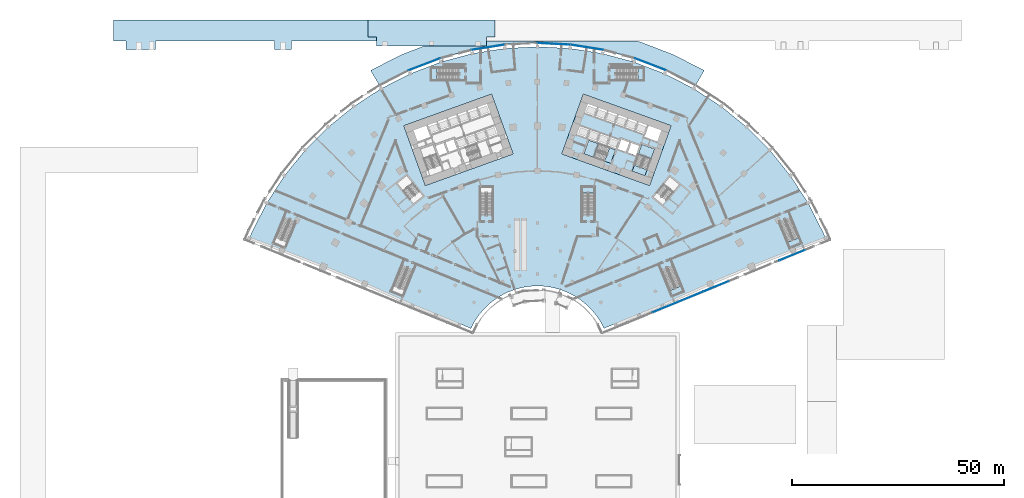
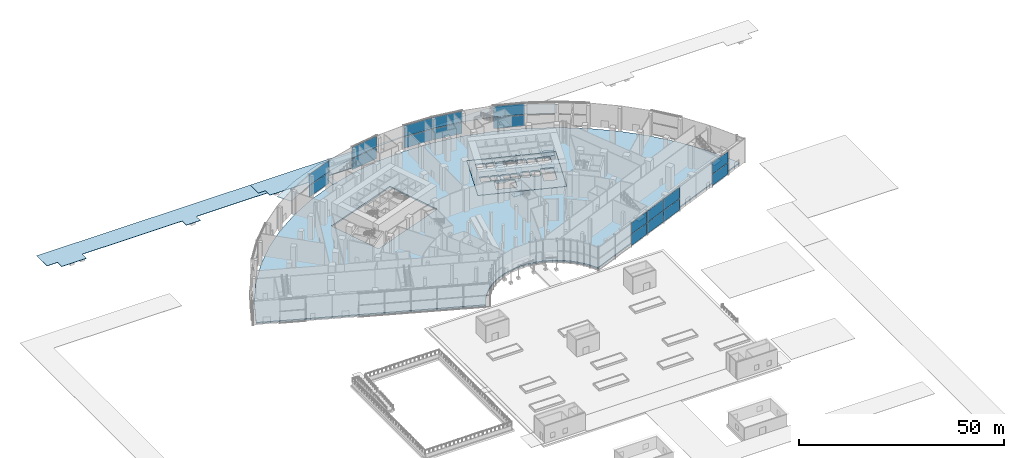
# One storey, part 21 of 60: 19 plates, 15 slabs, 9 elements without a shape of their own.
"""IFC4 building model written with IfcOpenShell, lengths in metres."""

from ifc_helpers import new_model, si_unit, direction, frame, origin, origin_2d, place, context, subcontext, project, spatial, polyline, rectangle, outline, extrude, material, layer, layer_set, type_object, element, aggregate, save


model = new_model("IFC4")

# Units and contexts
model_context = context("Model", 3, precision=1e-05, world=origin(), true_north=direction((0.0, 1.0)))
body_context = subcontext(model_context, "Body", "Model", "MODEL_VIEW")
ifc_project = project(units=[si_unit("LENGTHUNIT", "METRE"), si_unit("AREAUNIT", "SQUARE_METRE"), si_unit("VOLUMEUNIT", "CUBIC_METRE"), si_unit("PLANEANGLEUNIT", "RADIAN"), si_unit("MASSUNIT", "GRAM", prefix="KILO")], contexts=[model_context])

# Site, building, storey
site_placement = place(None, origin())
site = spatial("IfcSite", under=ifc_project, at=site_placement, CompositionType="ELEMENT")
building_placement = place(site_placement, origin())
building = spatial("IfcBuilding", under=site, at=building_placement, Name="Stone Belt Terrace Tower", CompositionType="ELEMENT")
storey_placement = place(building_placement, origin())
storey = spatial("IfcBuildingStorey", under=building, at=storey_placement, Name="L00", CompositionType="ELEMENT", Elevation=0.0)

# Curtain wall, plates
ifc_material_1 = material(Name="Aluminium 6063-T6 anodised frame", Category="aluminium")
ifc_layer_1 = layer(ifc_material_1, 0.14990234375)
ifc_layer_set_1 = layer_set([ifc_layer_1], Name="CW-D podium shopfront")
curtain_wall_type = type_object("IfcCurtainWallType", Name="CW-D podium shopfront", PredefinedType="NOTDEFINED", material=ifc_layer_set_1)
curtain_wall_1_placement = place(storey_placement, origin())
curtain_wall_1 = element("IfcCurtainWall", 1, at=curtain_wall_1_placement, inside=storey, type_object=curtain_wall_type, Name="CW-D end face L00", PredefinedType="NOTDEFINED")
ifc_material_2 = material(Name="Clear double glazed unit")
ifc_layer_2 = layer(ifc_material_2, 0.031982421875)
ifc_layer_set_2 = layer_set([ifc_layer_2], Name="CW-D glass panel 32")
plate_type_1 = type_object("IfcPlateType", Name="CW-D glass panel 32", PredefinedType="CURTAIN_PANEL", material=ifc_layer_set_2)
plate_1_placement = place(storey_placement, frame((30.203369140625, 12.298095703125, 0.139892578125), z_axis=(0.0, 0.0, 1.0), x_axis=(0.925297074342, 0.379243093825, 0.0)))
plate_1 = element("IfcPlate", 2, at=plate_1_placement, type_object=plate_type_1, Name="CW-D panel 3.1", PredefinedType="CURTAIN_PANEL", context=body_context, shape_type="SweptSolid", body=[
    extrude(rectangle(XDim=6.384521484375, YDim=0.031982421875, at=origin_2d()), origin(), (0.0, 0.0, 1.0), 3.2900390625),
])
plate_2_placement = place(storey_placement, frame((30.203369140625, 12.298095703125, 3.570068359375), z_axis=(0.0, 0.0, 1.0), x_axis=(0.925297074342, 0.379243093825, 0.0)))
plate_2 = element("IfcPlate", 3, at=plate_2_placement, type_object=plate_type_1, Name="CW-D panel 3.2", PredefinedType="CURTAIN_PANEL", context=body_context, shape_type="SweptSolid", body=[
    extrude(rectangle(XDim=6.384521484375, YDim=0.031982421875, at=origin_2d()), origin(), (0.0, 0.0, 1.0), 3.2900390625),
])
plate_3_placement = place(storey_placement, frame((36.16650390625, 14.7421875, 0.139892578125), z_axis=(0.0, 0.0, 1.0), x_axis=(0.925297074342, 0.379243093825, 0.0)))
plate_3 = element("IfcPlate", 4, at=plate_3_placement, type_object=plate_type_1, Name="CW-D panel 4.1", PredefinedType="CURTAIN_PANEL", context=body_context, shape_type="SweptSolid", body=[
    extrude(rectangle(XDim=6.384521484375, YDim=0.031982421875, at=origin_2d()), origin(), (0.0, 0.0, 1.0), 3.2900390625),
])
plate_4_placement = place(storey_placement, frame((36.16650390625, 14.7421875, 3.570068359375), z_axis=(0.0, 0.0, 1.0), x_axis=(0.925297074342, 0.379243093825, 0.0)))
plate_4 = element("IfcPlate", 5, at=plate_4_placement, type_object=plate_type_1, Name="CW-D panel 4.2", PredefinedType="CURTAIN_PANEL", context=body_context, shape_type="SweptSolid", body=[
    extrude(rectangle(XDim=6.384521484375, YDim=0.031982421875, at=origin_2d()), origin(), (0.0, 0.0, 1.0), 3.2900390625),
])
plate_5_placement = place(storey_placement, frame((42.12939453125, 17.186279296875, 0.139892578125), z_axis=(0.0, 0.0, 1.0), x_axis=(0.925297074342, 0.379243093825, 0.0)))
plate_5 = element("IfcPlate", 6, at=plate_5_placement, type_object=plate_type_1, Name="CW-D panel 5.1", PredefinedType="CURTAIN_PANEL", context=body_context, shape_type="SweptSolid", body=[
    extrude(rectangle(XDim=6.384521484375, YDim=0.031982421875, at=origin_2d()), origin(), (0.0, 0.0, 1.0), 3.2900390625),
])
plate_6_placement = place(storey_placement, frame((42.12939453125, 17.186279296875, 3.570068359375), z_axis=(0.0, 0.0, 1.0), x_axis=(0.925297074342, 0.379243093825, 0.0)))
plate_6 = element("IfcPlate", 7, at=plate_6_placement, type_object=plate_type_1, Name="CW-D panel 5.2", PredefinedType="CURTAIN_PANEL", context=body_context, shape_type="SweptSolid", body=[
    extrude(rectangle(XDim=6.384521484375, YDim=0.031982421875, at=origin_2d()), origin(), (0.0, 0.0, 1.0), 3.2900390625),
])
plate_7_placement = place(storey_placement, frame((60.0185546875, 24.518310546875, 0.139892578125), z_axis=(0.0, 0.0, 1.0), x_axis=(0.925297074342, 0.379243093825, 0.0)))
plate_7 = element("IfcPlate", 8, at=plate_7_placement, type_object=plate_type_1, Name="CW-D panel 8.1", PredefinedType="CURTAIN_PANEL", context=body_context, shape_type="SweptSolid", body=[
    extrude(rectangle(XDim=6.384521484375, YDim=0.031982421875, at=origin_2d()), origin(), (0.0, 0.0, 1.0), 3.2900390625),
])
plate_8_placement = place(storey_placement, frame((60.0185546875, 24.518310546875, 3.570068359375), z_axis=(0.0, 0.0, 1.0), x_axis=(0.925297074342, 0.379243093825, 0.0)))
plate_8 = element("IfcPlate", 9, at=plate_8_placement, type_object=plate_type_1, Name="CW-D panel 8.2", PredefinedType="CURTAIN_PANEL", context=body_context, shape_type="SweptSolid", body=[
    extrude(rectangle(XDim=6.384521484375, YDim=0.031982421875, at=origin_2d()), origin(), (0.0, 0.0, 1.0), 3.2900390625),
])
aggregate(curtain_wall_1, [plate_1, plate_2, plate_3, plate_4, plate_5, plate_6, plate_7, plate_8])

curtain_wall_2_placement = place(storey_placement, origin())
curtain_wall_2 = element("IfcCurtainWall", 10, at=curtain_wall_2_placement, inside=storey, type_object=curtain_wall_type, Name="CW-D convex face L00", PredefinedType="NOTDEFINED")
plate_9_placement = place(storey_placement, frame((26.688720703125, 69.5263671875, 0.139892578125), z_axis=(0.0, 0.0, 1.0), x_axis=(-0.933580426497, 0.358367949545, 0.0)))
plate_9 = element("IfcPlate", 11, at=plate_9_placement, type_object=plate_type_1, Name="CW-D panel 9.1", PredefinedType="CURTAIN_PANEL", context=body_context, shape_type="SweptSolid", body=[
    extrude(rectangle(XDim=7.738037109375, YDim=0.031982421875, at=origin_2d()), origin(), (0.0, 0.0, 1.0), 3.2900390625),
])
plate_10_placement = place(storey_placement, frame((26.688720703125, 69.5263671875, 3.570068359375), z_axis=(0.0, 0.0, 1.0), x_axis=(-0.933580426497, 0.358367949545, 0.0)))
plate_10 = element("IfcPlate", 12, at=plate_10_placement, type_object=plate_type_1, Name="CW-D panel 9.2", PredefinedType="CURTAIN_PANEL", context=body_context, shape_type="SweptSolid", body=[
    extrude(rectangle(XDim=7.738037109375, YDim=0.031982421875, at=origin_2d()), origin(), (0.0, 0.0, 1.0), 3.2900390625),
])
plate_11_placement = place(storey_placement, frame((11.650146484375, 73.555908203125, 0.139892578125), z_axis=(0.0, 0.0, 1.0), x_axis=(-0.987688340595, 0.15643446504, 0.0)))
plate_11 = element("IfcPlate", 13, at=plate_11_placement, type_object=plate_type_1, Name="CW-D panel 11.1", PredefinedType="CURTAIN_PANEL", context=body_context, shape_type="SweptSolid", body=[
    extrude(rectangle(XDim=7.738037109375, YDim=0.031982421875, at=origin_2d()), origin(), (0.0, 0.0, 1.0), 3.2900390625),
])
plate_12_placement = place(storey_placement, frame((11.650146484375, 73.555908203125, 3.570068359375), z_axis=(0.0, 0.0, 1.0), x_axis=(-0.987688340595, 0.15643446504, 0.0)))
plate_12 = element("IfcPlate", 14, at=plate_12_placement, type_object=plate_type_1, Name="CW-D panel 11.2", PredefinedType="CURTAIN_PANEL", context=body_context, shape_type="SweptSolid", body=[
    extrude(rectangle(XDim=7.738037109375, YDim=0.031982421875, at=origin_2d()), origin(), (0.0, 0.0, 1.0), 3.2900390625),
])
plate_13_placement = place(storey_placement, frame((3.897705078125, 74.370849609375, 0.139892578125), z_axis=(0.0, 0.0, 1.0), x_axis=(-0.998629534755, 0.052335956243, 0.0)))
plate_13 = element("IfcPlate", 15, at=plate_13_placement, type_object=plate_type_1, Name="CW-D panel 12.1", PredefinedType="CURTAIN_PANEL", context=body_context, shape_type="SweptSolid", body=[
    extrude(rectangle(XDim=7.738037109375, YDim=0.031982421875, at=origin_2d()), origin(), (0.0, 0.0, 1.0), 3.2900390625),
])
plate_14_placement = place(storey_placement, frame((3.897705078125, 74.370849609375, 3.570068359375), z_axis=(0.0, 0.0, 1.0), x_axis=(-0.998629534755, 0.052335956243, 0.0)))
plate_14 = element("IfcPlate", 16, at=plate_14_placement, type_object=plate_type_1, Name="CW-D panel 12.2", PredefinedType="CURTAIN_PANEL", context=body_context, shape_type="SweptSolid", body=[
    extrude(rectangle(XDim=7.738037109375, YDim=0.031982421875, at=origin_2d()), origin(), (0.0, 0.0, 1.0), 3.2900390625),
])
plate_15_placement = place(storey_placement, frame((-11.650146484375, 73.555908203125, 0.139892578125), z_axis=(0.0, 0.0, 1.0), x_axis=(-0.987688340595, -0.15643446504, 0.0)))
plate_15 = element("IfcPlate", 17, at=plate_15_placement, type_object=plate_type_1, Name="CW-D panel 14.1", PredefinedType="CURTAIN_PANEL", context=body_context, shape_type="SweptSolid", body=[
    extrude(rectangle(XDim=7.738037109375, YDim=0.031982421875, at=origin_2d()), origin(), (0.0, 0.0, 1.0), 3.2900390625),
])
plate_16_placement = place(storey_placement, frame((-11.650146484375, 73.555908203125, 3.570068359375), z_axis=(0.0, 0.0, 1.0), x_axis=(-0.987688340595, -0.15643446504, 0.0)))
plate_16 = element("IfcPlate", 18, at=plate_16_placement, type_object=plate_type_1, Name="CW-D panel 14.2", PredefinedType="CURTAIN_PANEL", context=body_context, shape_type="SweptSolid", body=[
    extrude(rectangle(XDim=7.738037109375, YDim=0.031982421875, at=origin_2d()), origin(), (0.0, 0.0, 1.0), 3.2900390625),
])
plate_17_placement = place(storey_placement, frame((-26.688720703125, 69.5263671875, 0.139892578125), z_axis=(0.0, 0.0, 1.0), x_axis=(-0.933580426497, -0.358367949545, 0.0)))
plate_17 = element("IfcPlate", 19, at=plate_17_placement, type_object=plate_type_1, Name="CW-D panel 16.1", PredefinedType="CURTAIN_PANEL", context=body_context, shape_type="SweptSolid", body=[
    extrude(rectangle(XDim=7.738037109375, YDim=0.031982421875, at=origin_2d()), origin(), (0.0, 0.0, 1.0), 3.2900390625),
])
plate_18_placement = place(storey_placement, frame((-26.688720703125, 69.5263671875, 3.570068359375), z_axis=(0.0, 0.0, 1.0), x_axis=(-0.933580426497, -0.358367949545, 0.0)))
plate_18 = element("IfcPlate", 20, at=plate_18_placement, type_object=plate_type_1, Name="CW-D panel 16.2", PredefinedType="CURTAIN_PANEL", context=body_context, shape_type="SweptSolid", body=[
    extrude(rectangle(XDim=7.738037109375, YDim=0.031982421875, at=origin_2d()), origin(), (0.0, 0.0, 1.0), 3.2900390625),
])
aggregate(curtain_wall_2, [plate_9, plate_10, plate_11, plate_12, plate_13, plate_14, plate_15, plate_16, plate_17, plate_18])

# Slab
ifc_material_3 = material(Name="Concrete B40", Category="concrete")
ifc_layer_3 = layer(ifc_material_3, 0.39990234375)
ifc_layer_set_3 = layer_set([ifc_layer_3], Name="Core floor slab 400")
slab_type_1 = type_object("IfcSlabType", Name="Core floor slab 400", PredefinedType="FLOOR", material=ifc_layer_set_3)
slab_1_placement = place(storey_placement, frame((0.0, 0.0, -0.39990234375)))
element("IfcSlab", 21, at=slab_1_placement, inside=storey, type_object=slab_type_1, Name="Core B floor L00", PredefinedType="FLOOR", context=body_context, shape_type="SweptSolid", body=[
    extrude(outline(polyline([(26.43505859375, 40.968994140625), (31.513916015625, 55.0830078125), (10.81396484375, 62.531982421875), (5.735107421875, 48.4189453125), (26.43505859375, 40.968994140625)]), holes=[polyline([(12.10595703125, 51.652099609375), (16.998046875, 49.89208984375), (15.846923828125, 46.69189453125), (10.955078125, 48.452880859375), (12.10595703125, 51.652099609375)]), polyline([(19.239990234375, 51.68896484375), (18.5458984375, 49.760009765625), (16.52294921875, 50.488037109375), (17.217041015625, 52.4169921875), (19.239990234375, 51.68896484375)]), polyline([(16.239990234375, 50.589111328125), (14.169921875, 51.333984375), (14.864013671875, 53.262939453125), (16.93408203125, 52.51806640625), (16.239990234375, 50.589111328125)]), polyline([(14.58203125, 53.364990234375), (13.887939453125, 51.43603515625), (11.864990234375, 52.1640625), (11.847900390625, 52.116943359375), (11.801025390625, 52.134033203125), (12.511962890625, 54.110107421875), (14.58203125, 53.364990234375)]), polyline([(9.30810546875, 53.031005859375), (10.01904296875, 55.007080078125), (12.22998046875, 54.2109375), (11.51904296875, 52.235107421875), (9.30810546875, 53.031005859375)]), polyline([(16.743896484375, 58.485107421875), (18.81396484375, 57.739990234375), (18.052001953125, 55.623046875), (15.98193359375, 56.367919921875), (16.743896484375, 58.485107421875)]), polyline([(14.39111328125, 59.33203125), (16.4609375, 58.5869140625), (15.699951171875, 56.469970703125), (13.6298828125, 57.215087890625), (14.39111328125, 59.33203125)]), polyline([(11.89794921875, 60.22900390625), (14.10888671875, 59.43408203125), (13.346923828125, 57.31591796875), (11.135986328125, 58.112060546875), (11.89794921875, 60.22900390625)]), polyline([(25.85888671875, 44.68408203125), (22.847900390625, 45.76806640625), (24.60791015625, 50.659912109375), (27.618896484375, 49.575927734375), (25.85888671875, 44.68408203125)]), polyline([(21.27392578125, 48.778076171875), (22.0869140625, 51.035888671875), (24.06298828125, 50.324951171875), (23.25, 48.06689453125), (21.27392578125, 48.778076171875)]), polyline([(18.922119140625, 49.6240234375), (19.735107421875, 51.883056640625), (21.7109375, 51.1708984375), (20.89794921875, 48.9130859375), (18.922119140625, 49.6240234375)]), polyline([(29.2109375, 53.9990234375), (28.24609375, 51.31689453125), (25.18798828125, 52.41796875), (26.153076171875, 55.09912109375), (29.2109375, 53.9990234375)]), polyline([(23.801025390625, 55.946044921875), (25.87109375, 55.200927734375), (25.10888671875, 53.083984375), (23.0390625, 53.8291015625), (23.801025390625, 55.946044921875)]), polyline([(21.447998046875, 56.7919921875), (23.51806640625, 56.047119140625), (22.756103515625, 53.929931640625), (20.68603515625, 54.675048828125), (21.447998046875, 56.7919921875)]), polyline([(19.095947265625, 57.638916015625), (21.166015625, 56.89404296875), (20.404052734375, 54.777099609375), (18.333984375, 55.52197265625), (19.095947265625, 57.638916015625)])]), origin(), (0.0, 0.0, 1.0), 0.39990234375),
])

# Plate
ifc_material_4 = material(Name="Clear laminated glass", Category="glass")
ifc_layer_4 = layer(ifc_material_4, 0.1201171875)
ifc_layer_set_4 = layer_set([ifc_layer_4], Name="Drop-off canopy glass plate 120")
plate_type_2 = type_object("IfcPlateType", Name="Drop-off canopy glass plate 120", PredefinedType="SHEET", material=ifc_layer_set_4)
plate_19_placement = place(storey_placement, frame((0.0, 0.0, 3.43994140625)))
element("IfcPlate", 22, at=plate_19_placement, inside=storey, type_object=plate_type_2, Name="CANOPY drop-off", PredefinedType="SHEET", context=body_context, shape_type="SweptSolid", body=[
    extrude(outline(polyline([(30.36279296875, 68.1962890625), (37.324951171875, 64.648681640625), (39.324951171875, 68.11279296875), (31.98974609375, 71.850341796875), (24.30419921875, 74.800537109375), (23.597412109375, 74.989990234375), (-23.597412109375, 74.989990234375), (-24.30419921875, 74.800537109375), (-31.98974609375, 71.850341796875), (-39.324951171875, 68.11279296875), (-37.324951171875, 64.648681640625), (-30.36279296875, 68.1962890625), (-23.068115234375, 70.996337890625), (-15.5205078125, 73.018798828125), (-7.802978515625, 74.240966796875), (0.0, 74.64990234375), (7.802978515625, 74.240966796875), (15.5205078125, 73.018798828125), (23.068115234375, 70.996337890625), (30.36279296875, 68.1962890625)])), origin(), (0.0, 0.0, 1.0), 0.1201171875),
])

# Slabs
ifc_layer_5 = layer(ifc_material_3, 0.39990234375)
ifc_layer_set_5 = layer_set([ifc_layer_5], Name="Floor slab 400 B40")
slab_type_2 = type_object("IfcSlabType", Name="Floor slab 400 B40", PredefinedType="FLOOR", material=ifc_layer_set_5)
slab_2_placement = place(storey_placement, frame((0.0, 0.0, -0.39990234375)))
element("IfcSlab", 23, at=slab_2_placement, inside=storey, type_object=slab_type_2, Name="Floor slab L00", PredefinedType="FLOOR", context=body_context, shape_type="SweptSolid", body=[
    extrude(outline(polyline([(-67.333984375, 29.962646484375), (-63.8251953125, 36.849609375), (-59.623779296875, 43.319091796875), (-54.76904296875, 49.314208984375), (-49.314208984375, 54.76904296875), (-43.319091796875, 59.623779296875), (-36.849609375, 63.8251953125), (-29.97607421875, 67.327392578125), (-22.774169921875, 70.091796875), (-15.322998046875, 72.08837890625), (-7.70361328125, 73.295166015625), (0.0, 73.698974609375), (7.70361328125, 73.295166015625), (15.322998046875, 72.08837890625), (22.774169921875, 70.091796875), (29.97607421875, 67.327392578125), (36.849609375, 63.8251953125), (43.319091796875, 59.623779296875), (49.314208984375, 54.76904296875), (54.76904296875, 49.314208984375), (59.623779296875, 43.319091796875), (63.8251953125, 36.849609375), (67.333984375, 29.962646484375), (67.8798828125, 28.685791015625), (15.693359375, 7.296630859375), (15.798583984375, 7.05029296875), (14.983154296875, 8.650390625), (13.996826171875, 10.169189453125), (12.857177734375, 11.57666015625), (11.57666015625, 12.857177734375), (10.169189453125, 13.996826171875), (8.650390625, 14.983154296875), (7.037109375, 15.805419921875), (5.34619140625, 16.454345703125), (3.59716796875, 16.923095703125), (1.80859375, 17.206298828125), (0.0, 17.301025390625), (-1.80859375, 17.206298828125), (-3.59716796875, 16.923095703125), (-5.34619140625, 16.454345703125), (-7.037109375, 15.805419921875), (-8.650390625, 14.983154296875), (-10.169189453125, 13.996826171875), (-11.57666015625, 12.857177734375), (-12.857177734375, 11.57666015625), (-13.996826171875, 10.169189453125), (-14.983154296875, 8.650390625), (-15.798583984375, 7.05029296875), (-15.693359375, 7.296630859375), (-67.8798828125, 28.685791015625), (-67.333984375, 29.962646484375)]), holes=[polyline([(-10.81396484375, 62.532470703125), (-31.51416015625, 55.082763671875), (-26.434814453125, 40.968994140625), (-5.734619140625, 48.418701171875), (-10.81396484375, 62.532470703125)]), polyline([(26.434814453125, 40.968994140625), (31.51416015625, 55.082763671875), (10.81396484375, 62.532470703125), (5.734619140625, 48.418701171875), (26.434814453125, 40.968994140625)])]), origin(), (0.0, 0.0, 1.0), 0.39990234375),
])
ifc_material_5 = material(Name="Granite paving", Category="masonry")
ifc_layer_6 = layer(ifc_material_5, 0.10009765625)
ifc_layer_set_6 = layer_set([ifc_layer_6], Name="Frontage paving slab 100")
slab_type_3 = type_object("IfcSlabType", Name="Frontage paving slab 100", PredefinedType="USERDEFINED", material=ifc_layer_set_6)
slab_3_placement = place(storey_placement, frame((0.0, 0.0, -0.10009765625)))
element("IfcSlab", 24, at=slab_3_placement, inside=storey, type_object=slab_type_3, Name="North street frontage pavement", ObjectType="PAVING", PredefinedType="USERDEFINED", context=body_context, shape_type="SweptSolid", body=[
    extrude(outline(polyline([(-97.0, 73.0), (-90.0, 73.0), (-90.0, 75.0), (-62.0, 75.0), (-62.0, 73.0), (-58.0, 73.0), (-58.0, 75.0), (-38.0, 75.0), (-38.0, 76.0), (-40.0, 76.0), (-40.0, 80.0), (-100.0, 80.0), (-100.0, 75.0), (-97.0, 75.0), (-97.0, 73.0)])), origin(), (0.0, 0.0, 1.0), 0.10009765625),
])
ifc_material_6 = material(Name="Asphalt paving")
ifc_layer_7 = layer(ifc_material_6, 0.10009765625)
ifc_layer_set_7 = layer_set([ifc_layer_7], Name="Lay-by paving slab 100")
slab_type_4 = type_object("IfcSlabType", Name="Lay-by paving slab 100", PredefinedType="USERDEFINED", material=ifc_layer_set_7)
slab_4_placement = place(storey_placement, frame((0.0, 0.0, -0.10009765625)))
element("IfcSlab", 25, at=slab_4_placement, inside=storey, type_object=slab_type_4, Name="Drop-off lay-by", ObjectType="PAVING", PredefinedType="USERDEFINED", context=body_context, shape_type="SweptSolid", body=[
    extrude(outline(polyline([(-38.0, 73.85009765625), (-12.0, 73.85009765625), (-12.0, 76.0), (-10.0, 76.0), (-10.0, 80.0), (-40.0, 80.0), (-40.0, 76.0), (-38.0, 76.0), (-38.0, 73.85009765625)])), origin(), (0.0, 0.0, 1.0), 0.10009765625),
])

# Stair, slab
ifc_material_7 = material(Name="Concrete B30", Category="concrete")
stair_type_1 = type_object("IfcStairType", Name="Podium stair concrete B30", PredefinedType="HALF_TURN_STAIR", material=ifc_material_7)
stair_1_placement = place(storey_placement, origin())
stair_1 = element("IfcStair", 26, at=stair_1_placement, inside=storey, type_object=stair_type_1, Name="L00 podium exit stair 3", PredefinedType="HALF_TURN_STAIR")
ifc_layer_8 = layer(ifc_material_7, 0.199951171875)
ifc_layer_set_8 = layer_set([ifc_layer_8], Name="Podium stair landing concrete B30")
slab_type_5 = type_object("IfcSlabType", Name="Podium stair landing concrete B30", PredefinedType="LANDING", material=ifc_layer_set_8)
slab_5_placement = place(storey_placement, frame((0.0, 0.0, 3.300048828125)))
slab_5 = element("IfcSlab", 27, at=slab_5_placement, type_object=slab_type_5, Name="PS3 landing 1", PredefinedType="LANDING", context=body_context, shape_type="SweptSolid", body=[
    extrude(outline(polyline([(31.259033203125, 16.219482421875), (31.772216796875, 14.967529296875), (34.4091796875, 16.04833984375), (33.896240234375, 17.30029296875), (31.259033203125, 16.219482421875)])), origin(), (0.0, 0.0, 1.0), 0.199951171875),
])
aggregate(stair_1, [slab_5])

stair_2_placement = place(storey_placement, origin())
stair_2 = element("IfcStair", 28, at=stair_2_placement, inside=storey, type_object=stair_type_1, Name="L00 podium exit stair 4", PredefinedType="HALF_TURN_STAIR")
slab_6_placement = place(storey_placement, frame((0.0, 0.0, 3.300048828125)))
slab_6 = element("IfcSlab", 29, at=slab_6_placement, type_object=slab_type_5, Name="PS4 landing 1", PredefinedType="LANDING", context=body_context, shape_type="SweptSolid", body=[
    extrude(outline(polyline([(59.01806640625, 27.5966796875), (59.531005859375, 26.3447265625), (62.168212890625, 27.425537109375), (61.655029296875, 28.677490234375), (59.01806640625, 27.5966796875)])), origin(), (0.0, 0.0, 1.0), 0.199951171875),
])
aggregate(stair_2, [slab_6])

stair_3_placement = place(storey_placement, origin())
stair_3 = element("IfcStair", 30, at=stair_3_placement, inside=storey, type_object=stair_type_1, Name="L00 podium exit stair 6", PredefinedType="HALF_TURN_STAIR")
slab_7_placement = place(storey_placement, frame((0.0, 0.0, 3.300048828125)))
slab_7 = element("IfcSlab", 31, at=slab_7_placement, type_object=slab_type_5, Name="PS6 landing 1", PredefinedType="LANDING", context=body_context, shape_type="SweptSolid", body=[
    extrude(outline(polyline([(13.425048828125, 39.20703125), (13.425048828125, 40.56005859375), (10.574951171875, 40.56005859375), (10.574951171875, 39.20703125), (13.425048828125, 39.20703125)])), origin(), (0.0, 0.0, 1.0), 0.199951171875),
])
aggregate(stair_3, [slab_7])

stair_4_placement = place(storey_placement, origin())
stair_4 = element("IfcStair", 32, at=stair_4_placement, inside=storey, type_object=stair_type_1, Name="L00 podium exit stair 7", PredefinedType="HALF_TURN_STAIR")
slab_8_placement = place(storey_placement, frame((0.0, 0.0, 3.300048828125)))
slab_8 = element("IfcSlab", 33, at=slab_8_placement, type_object=slab_type_5, Name="PS7 landing 1", PredefinedType="LANDING", context=body_context, shape_type="SweptSolid", body=[
    extrude(outline(polyline([(-23.656982421875, 68.675048828125), (-25.010009765625, 68.675048828125), (-25.010009765625, 65.824951171875), (-23.656982421875, 65.824951171875), (-23.656982421875, 68.675048828125)])), origin(), (0.0, 0.0, 1.0), 0.199951171875),
])
aggregate(stair_4, [slab_8])

stair_5_placement = place(storey_placement, origin())
stair_5 = element("IfcStair", 34, at=stair_5_placement, inside=storey, type_object=stair_type_1, Name="L00 podium exit stair 8", PredefinedType="HALF_TURN_STAIR")
slab_9_placement = place(storey_placement, frame((0.0, 0.0, 3.300048828125)))
slab_9 = element("IfcSlab", 35, at=slab_9_placement, type_object=slab_type_5, Name="PS8 landing 1", PredefinedType="LANDING", context=body_context, shape_type="SweptSolid", body=[
    extrude(outline(polyline([(23.656982421875, 65.824951171875), (25.010009765625, 65.824951171875), (25.010009765625, 68.675048828125), (23.656982421875, 68.675048828125), (23.656982421875, 65.824951171875)])), origin(), (0.0, 0.0, 1.0), 0.199951171875),
])
aggregate(stair_5, [slab_9])

# Stair, slabs
stair_type_2 = type_object("IfcStairType", Name="Exit stair 1500", PredefinedType="HALF_TURN_STAIR", material=ifc_material_3)
stair_6_placement = place(storey_placement, origin())
stair_6 = element("IfcStair", 36, at=stair_6_placement, inside=storey, type_object=stair_type_2, Name="L00 Exit stair 1 core B", PredefinedType="HALF_TURN_STAIR")
ifc_layer_9 = layer(ifc_material_3, 0.199951171875)
ifc_layer_set_9 = layer_set([ifc_layer_9], Name="Stair landing 200")
slab_type_6 = type_object("IfcSlabType", Name="Stair landing 200", PredefinedType="LANDING", material=ifc_layer_set_9)
slab_10_placement = place(storey_placement, frame((0.0, 0.0, 1.550048828125)))
slab_10 = element("IfcSlab", 37, at=slab_10_placement, type_object=slab_type_6, Name="ST1B landing 1", PredefinedType="LANDING", context=body_context, shape_type="SweptSolid", body=[
    extrude(outline(polyline([(26.802978515625, 47.307861328125), (27.619384765625, 49.576171875), (24.6083984375, 50.659912109375), (23.792236328125, 48.3916015625), (26.802978515625, 47.307861328125)])), origin(), (0.0, 0.0, 1.0), 0.199951171875),
])
slab_11_placement = place(storey_placement, frame((0.0, 0.0, 3.300048828125)))
slab_11 = element("IfcSlab", 38, at=slab_11_placement, type_object=slab_type_6, Name="ST1B landing 2", PredefinedType="LANDING", context=body_context, shape_type="SweptSolid", body=[
    extrude(outline(polyline([(25.3505859375, 43.27197265625), (25.85888671875, 44.684326171875), (22.847900390625, 45.767822265625), (22.339599609375, 44.355712890625), (25.3505859375, 43.27197265625)])), origin(), (0.0, 0.0, 1.0), 0.199951171875),
])
slab_12_placement = place(storey_placement, frame((0.0, 0.0, 5.050048828125)))
slab_12 = element("IfcSlab", 39, at=slab_12_placement, type_object=slab_type_6, Name="ST1B landing 3", PredefinedType="LANDING", context=body_context, shape_type="SweptSolid", body=[
    extrude(outline(polyline([(26.802978515625, 47.307861328125), (27.619384765625, 49.576171875), (24.6083984375, 50.659912109375), (23.792236328125, 48.3916015625), (26.802978515625, 47.307861328125)])), origin(), (0.0, 0.0, 1.0), 0.199951171875),
])
aggregate(stair_6, [slab_10, slab_11, slab_12])

stair_7_placement = place(storey_placement, origin())
stair_7 = element("IfcStair", 40, at=stair_7_placement, inside=storey, type_object=stair_type_2, Name="L00 Exit stair 2 core B", PredefinedType="HALF_TURN_STAIR")
slab_13_placement = place(storey_placement, frame((0.0, 0.0, 1.550048828125)))
slab_13 = element("IfcSlab", 41, at=slab_13_placement, type_object=slab_type_6, Name="ST2B landing 1", PredefinedType="LANDING", context=body_context, shape_type="SweptSolid", body=[
    extrude(outline(polyline([(14.374267578125, 50.8359375), (12.10595703125, 51.652099609375), (10.95458984375, 48.453125), (13.222900390625, 47.63671875), (14.374267578125, 50.8359375)])), origin(), (0.0, 0.0, 1.0), 0.199951171875),
])
slab_14_placement = place(storey_placement, frame((0.0, 0.0, 3.300048828125)))
slab_14 = element("IfcSlab", 42, at=slab_14_placement, type_object=slab_type_6, Name="ST2B landing 2", PredefinedType="LANDING", context=body_context, shape_type="SweptSolid", body=[
    extrude(outline(polyline([(18.41015625, 49.38330078125), (16.997802734375, 49.8916015625), (15.8466796875, 46.6923828125), (17.2587890625, 46.184326171875), (18.41015625, 49.38330078125)])), origin(), (0.0, 0.0, 1.0), 0.199951171875),
])
slab_15_placement = place(storey_placement, frame((0.0, 0.0, 5.050048828125)))
slab_15 = element("IfcSlab", 43, at=slab_15_placement, type_object=slab_type_6, Name="ST2B landing 3", PredefinedType="LANDING", context=body_context, shape_type="SweptSolid", body=[
    extrude(outline(polyline([(14.374267578125, 50.8359375), (12.10595703125, 51.652099609375), (10.95458984375, 48.453125), (13.222900390625, 47.63671875), (14.374267578125, 50.8359375)])), origin(), (0.0, 0.0, 1.0), 0.199951171875),
])
aggregate(stair_7, [slab_13, slab_14, slab_15])

save(model, "model.ifc")
